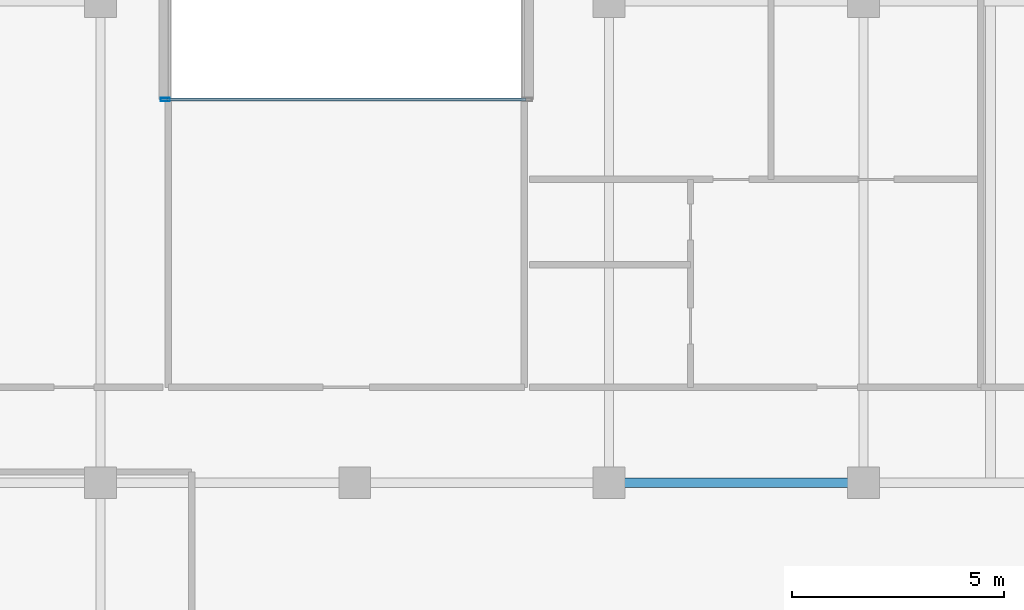
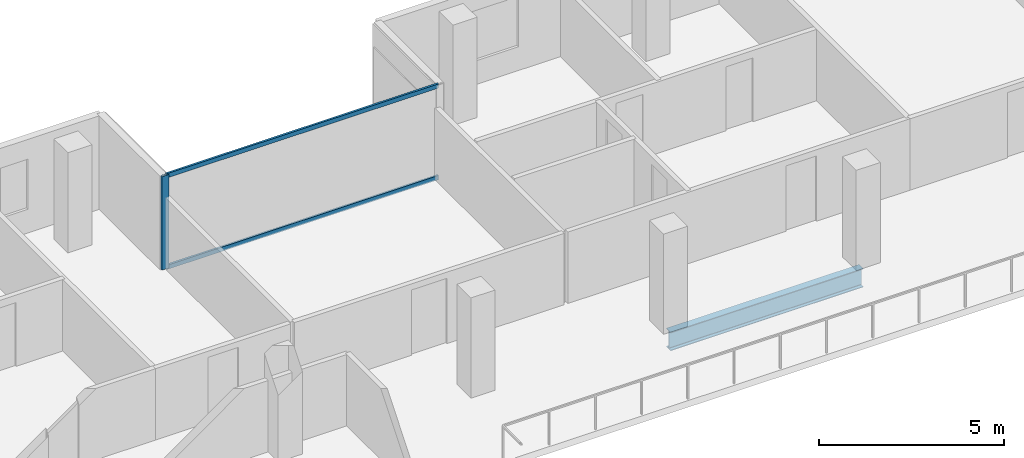
# One storey, part 10 of 28: 3 members, 1 beam, 1 element without a shape of its own.
"""IFC4 building model written with IfcOpenShell, lengths in metres."""

import ifcopenshell
import ifcopenshell.guid

model = None  # the IFC model being written
_history = None  # IfcOwnerHistory: only IFC2X3 demands one
_inside = {}  # id of a spatial element -> (the spatial element, [elements in it])
_under = {}  # id of a project, library or spatial element -> (it, [spatial elements below it])
_declared = {}  # id of a project -> (the project, [libraries it declares])
_typed = {}  # id of a type object -> (the type object, [elements of that type])
_made_of = {}  # id of a material, layer set ... -> (it, [elements and type objects made of it])


def new_model(schema):
    """Start an empty IFC model of exactly this schema.

    Asked for "IFC4X3", IfcOpenShell would pick the latest addendum, in which some entities
    have other attributes; the version numbers below select the first issue.
    IFC2X3 requires an IfcOwnerHistory on every rooted entity: one is made here for all.
    """
    global model, _history
    if schema == "IFC4X3":
        model = ifcopenshell.file(schema_version=(4, 3, 0, 0))
    else:
        model = ifcopenshell.file(schema=schema)
    _inside.clear()
    _under.clear()
    _declared.clear()
    _typed.clear()
    _made_of.clear()
    _history = None
    if model.schema == "IFC2X3":
        org = make("IfcOrganization", Name="unknown")
        user = make(
            "IfcPersonAndOrganization",
            ThePerson=make("IfcPerson", FamilyName="unknown"),
            TheOrganization=org,
        )
        app = make(
            "IfcApplication",
            ApplicationDeveloper=org,
            Version="unknown",
            ApplicationFullName="unknown",
            ApplicationIdentifier="unknown",
        )
        _history = make(
            "IfcOwnerHistory",
            OwningUser=user,
            OwningApplication=app,
            ChangeAction="ADDED",
            CreationDate=0,
        )
    return model


def make(cls, **values):
    """One entity of the class cls with the attributes given. An attribute that is None is left unset."""
    return model.create_entity(
        cls, **{name: value for name, value in values.items() if value is not None}
    )


def rooted(cls, **values):
    """An entity with a GlobalId (a new one), such as an element, a storey or a relation."""
    return make(cls, GlobalId=ifcopenshell.guid.new(), OwnerHistory=_history, **values)


def si_unit(unit_type, name, prefix=None):
    """IfcSIUnit, for example si_unit("LENGTHUNIT", "METRE", prefix="MILLI")."""
    return make("IfcSIUnit", UnitType=unit_type, Prefix=prefix, Name=name)


def assignment(units):
    """IfcUnitAssignment: the units of a project."""
    return None if units is None else make("IfcUnitAssignment", Units=units)


def point(xyz):
    """IfcCartesianPoint."""
    return None if xyz is None else make("IfcCartesianPoint", Coordinates=xyz)


def direction(xyz):
    """IfcDirection."""
    return None if xyz is None else make("IfcDirection", DirectionRatios=xyz)


def frame(location, z_axis=None, x_axis=None):
    """IfcAxis2Placement3D, a coordinate frame: its origin and axes. An axis left out is left unset."""
    return make(
        "IfcAxis2Placement3D",
        Location=point(location),
        Axis=direction(z_axis),
        RefDirection=direction(x_axis),
    )


def frame_2d(location, x_axis=None):
    """IfcAxis2Placement2D, a coordinate frame in the plane: its origin and x axis."""
    return make(
        "IfcAxis2Placement2D", Location=point(location), RefDirection=direction(x_axis)
    )


def origin():
    """The frame at (0, 0, 0) with its axes left unset."""
    return frame((0.0, 0.0, 0.0))


def origin_2d():
    """The frame at (0, 0) in the plane with its x axis left unset."""
    return frame_2d((0.0, 0.0))


def place(relative_to, where):
    """IfcLocalPlacement: puts the frame where relative to a parent placement (None: the world)."""
    return make(
        "IfcLocalPlacement", PlacementRelTo=relative_to, RelativePlacement=where
    )


def context(
    kind, dimensions, precision=None, world=None, true_north=None, identifier=None
):
    """IfcGeometricRepresentationContext, for example the 3D "Model" context."""
    return make(
        "IfcGeometricRepresentationContext",
        ContextIdentifier=identifier,
        ContextType=kind,
        CoordinateSpaceDimension=dimensions,
        Precision=precision,
        WorldCoordinateSystem=world,
        TrueNorth=true_north,
    )


def subcontext(parent, identifier, kind, view, scale=None):
    """IfcGeometricRepresentationSubContext, for example "Body" below "Model"."""
    return make(
        "IfcGeometricRepresentationSubContext",
        ContextIdentifier=identifier,
        ContextType=kind,
        ParentContext=parent,
        TargetScale=scale,
        TargetView=view,
    )


def project(units=None, contexts=None):
    """IfcProject with its units and contexts."""
    return rooted(
        "IfcProject",
        Name="project",
        RepresentationContexts=contexts,
        UnitsInContext=assignment(units),
    )


def spatial(cls, under=None, at=None, **own):
    """A site, building, storey or space (cls), placed at a placement, below another one or the project."""
    s = rooted(cls, ObjectPlacement=at, **own)
    if under is not None:
        _under.setdefault(under.id(), (under, []))[1].append(s)
    return s


def profile(cls, at=None, kind="AREA", **sizes):
    """A parametric profile (cls). Its sizes go by their IFC names, for example OverallWidth=200.0."""
    return make(cls, ProfileType=kind, Position=at, **sizes)


def hollow_rectangle(**sizes):
    """IfcRectangleHollowProfileDef."""
    return profile("IfcRectangleHollowProfileDef", **sizes)


def i_section(**sizes):
    """IfcIShapeProfileDef."""
    return profile("IfcIShapeProfileDef", **sizes)


def extrude(swept, where, along, depth):
    """IfcExtrudedAreaSolid: the profile swept, set in the frame where, extruded along a direction by depth."""
    return make(
        "IfcExtrudedAreaSolid",
        SweptArea=swept,
        Position=where,
        ExtrudedDirection=direction(along),
        Depth=depth,
    )


def shape(context_of_items, identifier, shape_type, items):
    """IfcShapeRepresentation: the items that make up one representation, for example the "Body"."""
    return make(
        "IfcShapeRepresentation",
        ContextOfItems=context_of_items,
        RepresentationIdentifier=identifier,
        RepresentationType=shape_type,
        Items=items,
    )


def material(Name=None, Category=None):
    """IfcMaterial."""
    return make("IfcMaterial", Name=Name, Category=Category)


def layer(
    of_material, thickness, ventilated=None, Name=None, Category=None, Priority=None
):
    """IfcMaterialLayer: one layer of a wall or slab, of a material (None: an air gap)."""
    return make(
        "IfcMaterialLayer",
        Material=of_material,
        LayerThickness=thickness,
        IsVentilated=ventilated,
        Name=Name,
        Category=Category,
        Priority=Priority,
    )


def layer_set(layers, Name=None):
    """IfcMaterialLayerSet."""
    return make("IfcMaterialLayerSet", MaterialLayers=layers, LayerSetName=Name)


def material_profile(
    of_material, cross_section, Name=None, Category=None, Priority=None
):
    """IfcMaterialProfile: a cross section and its material."""
    return make(
        "IfcMaterialProfile",
        Name=Name,
        Material=of_material,
        Profile=cross_section,
        Priority=Priority,
        Category=Category,
    )


def profile_set(profiles, Name=None, composite=None):
    """IfcMaterialProfileSet."""
    return make(
        "IfcMaterialProfileSet",
        Name=Name,
        MaterialProfiles=profiles,
        CompositeProfile=composite,
    )


def made_of(thing, what):
    """Note that an element or type object is made of a material, layer set ...; save() writes the relation."""
    if what is not None:
        _made_of.setdefault(what.id(), (what, []))[1].append(thing)
    return thing


def type_object(cls, material=None, **own):
    """A type object (cls), such as IfcWallType, which elements share."""
    return made_of(rooted(cls, **own), material)


def element(
    cls,
    number,
    at=None,
    inside=None,
    cuts=None,
    type_object=None,
    material=None,
    context=None,
    identifier="Body",
    shape_type=None,
    held_by="IfcProductDefinitionShape",
    body=None,
    shapes=None,
    **own,
):
    """One element of the class cls, such as IfcWall. Its Tag is "e" and its number.

    at: its placement. inside: the storey or other place that contains it. cuts: it is an
    opening in that element (IfcRelVoidsElement). A single representation is given by context,
    identifier, shape_type and body (its items); several are given by shapes. held_by: the class
    of the entity that holds the representations. save() writes the other relations.
    """
    e = rooted(cls, Tag="e%d" % number, ObjectPlacement=at, **own)
    if body is not None:
        shapes = [shape(context, identifier, shape_type, body)]
    if shapes is not None:
        e.Representation = make(held_by, Representations=shapes)
    if inside is not None:
        _inside.setdefault(inside.id(), (inside, []))[1].append(e)
    if cuts is not None:
        rooted(
            "IfcRelVoidsElement", RelatingBuildingElement=cuts, RelatedOpeningElement=e
        )
    if type_object is not None:
        _typed.setdefault(type_object.id(), (type_object, []))[1].append(e)
    return made_of(e, material)


def aggregate(whole, parts):
    """IfcRelAggregates: a whole, such as a stair, and the parts it consists of."""
    return rooted("IfcRelAggregates", RelatingObject=whole, RelatedObjects=parts)


def save(model, path):
    """Write the relations noted so far, then the file.

    IfcRelAggregates (storeys below a building ...), IfcRelContainedInSpatialStructure (elements
    in a storey), IfcRelDefinesByType, IfcRelAssociatesMaterial and IfcRelDeclares: one each for
    every whole, place, type object, material and project.
    """
    for whole, parts in _under.values():
        aggregate(whole, parts)
    for where, things in _inside.values():
        rooted(
            "IfcRelContainedInSpatialStructure",
            RelatedElements=things,
            RelatingStructure=where,
        )
    for kind, things in _typed.values():
        rooted("IfcRelDefinesByType", RelatedObjects=things, RelatingType=kind)
    for what, things in _made_of.values():
        rooted("IfcRelAssociatesMaterial", RelatedObjects=things, RelatingMaterial=what)
    for by, libraries in _declared.values():
        rooted("IfcRelDeclares", RelatingContext=by, RelatedDefinitions=libraries)
    model.write(path)


model = new_model("IFC4")

# Units and contexts
model_context = context("Model", 3, precision=1e-05, world=origin(), true_north=direction((0.0, 1.0)))
body_context = subcontext(model_context, "Body", "Model", "MODEL_VIEW")
ifc_project = project(units=[si_unit("LENGTHUNIT", "METRE"), si_unit("AREAUNIT", "SQUARE_METRE"), si_unit("VOLUMEUNIT", "CUBIC_METRE"), si_unit("PLANEANGLEUNIT", "RADIAN"), si_unit("MASSUNIT", "GRAM", prefix="KILO")], contexts=[model_context])

# Site, building, storey
site_placement = place(None, origin())
site = spatial("IfcSite", under=ifc_project, at=site_placement, CompositionType="ELEMENT")
building_placement = place(site_placement, origin())
building = spatial("IfcBuilding", under=site, at=building_placement, Name="Tanjung Sevakor Pilgrim Tower", CompositionType="ELEMENT")
storey_placement = place(building_placement, frame((0.0, 0.0, 222.75)))
storey = spatial("IfcBuildingStorey", under=building, at=storey_placement, Name="L62", CompositionType="ELEMENT", Elevation=222.75)

# Beam
ifc_material_1 = material(Name="Steel S355J2", Category="steel")
ifc_material_profile_1 = material_profile(ifc_material_1, i_section(OverallWidth=0.22900390625, OverallDepth=0.6123046875, WebThickness=0.011962890625, FlangeThickness=0.01953125, FilletRadius=0.0126953125, at=origin_2d()))
ifc_profile_set_1 = profile_set([ifc_material_profile_1], Name="Steel S355J2")
beam_type = type_object("IfcBeamType", Name="BM-B-G4-UB_610x229x125", PredefinedType="BEAM", material=ifc_profile_set_1)
beam_placement = place(storey_placement, frame((54.0, 42.60009765625, -0.526123046875), z_axis=(1.0, 0.0, 0.0), x_axis=(0.0, 1.0, 0.0)))
element("IfcBeam", 1, at=beam_placement, inside=storey, type_object=beam_type, Name="L62 Primary Floor Girder MAIN Y426-05", PredefinedType="BEAM", context=body_context, shape_type="SweptSolid", body=[
    extrude(i_section(OverallWidth=0.22900390625, OverallDepth=0.6123046875, WebThickness=0.011962890625, FlangeThickness=0.01953125, FilletRadius=0.0126953125, at=origin_2d()), origin(), (0.0, 0.0, 1.0), 6.0),
])

# Curtain wall, members
ifc_material_2 = material(Name="Aluminium 6063-T6 and Low-E Glass", Category="aluminium")
ifc_layer = layer(ifc_material_2, 0.179931640625)
ifc_layer_set = layer_set([ifc_layer], Name="CW-SYS-CLEFT")
curtain_wall_type = type_object("IfcCurtainWallType", Name="CW-SYS-CLEFT", PredefinedType="NOTDEFINED", material=ifc_layer_set)
curtain_wall_placement = place(storey_placement, origin())
curtain_wall = element("IfcCurtainWall", 2, at=curtain_wall_placement, inside=storey, type_object=curtain_wall_type, Name="L62 Curtain Wall CW-CLF-L62-10", PredefinedType="NOTDEFINED")
ifc_material_3 = material(Name="Aluminium 6063-T6", Category="aluminium")
ifc_material_profile_2 = material_profile(ifc_material_3, hollow_rectangle(XDim=0.074951171875, YDim=0.219970703125, WallThickness=0.0048828125, at=origin_2d()))
ifc_profile_set_2 = profile_set([ifc_material_profile_2], Name="Aluminium 6063-T6")
member_type_1 = type_object("IfcMemberType", Name="TYPE-CWM-2", PredefinedType="MULLION", material=ifc_profile_set_2)
member_1_placement = place(storey_placement, frame((43.527587890625, 51.639892578125, 0.0), z_axis=(0.0, 0.0, 1.0), x_axis=(0.0, -1.0, 0.0)))
member_1 = element("IfcMember", 3, at=member_1_placement, type_object=member_type_1, Name="CW-CLF mullion 2", PredefinedType="MULLION", context=body_context, shape_type="SweptSolid", body=[
    extrude(hollow_rectangle(XDim=0.074951171875, YDim=0.219970703125, WallThickness=0.0048828125, at=origin_2d()), origin(), (0.0, 0.0, 1.0), 3.080078125),
])
ifc_material_4 = material(Name="Aluminium 6063-T6", Category="aluminium")
ifc_material_profile_3 = material_profile(ifc_material_4, hollow_rectangle(XDim=0.06494140625, YDim=0.139892578125, WallThickness=0.00390625, at=origin_2d()))
ifc_profile_set_3 = profile_set([ifc_material_profile_3], Name="Aluminium 6063-T6")
member_type_2 = type_object("IfcMemberType", Name="TYPE-CWT-1", PredefinedType="USERDEFINED", material=ifc_profile_set_3)
member_2_placement = place(storey_placement, frame((52.034912109375, 51.639892578125, 0.032470703125), z_axis=(-1.0, 0.0, 0.0), x_axis=(0.0, -1.0, 0.0)))
member_2 = element("IfcMember", 4, at=member_2_placement, type_object=member_type_2, Name="CW-CLF transom 1.1", ObjectType="TRANSOM", PredefinedType="USERDEFINED", context=body_context, shape_type="SweptSolid", body=[
    extrude(hollow_rectangle(XDim=0.06494140625, YDim=0.139892578125, WallThickness=0.00390625, at=origin_2d()), origin(), (0.0, 0.0, 1.0), 8.469970703125),
])
member_3_placement = place(storey_placement, frame((52.034912109375, 51.639892578125, 3.047607421875), z_axis=(-1.0, 0.0, 0.0), x_axis=(0.0, -1.0, 0.0)))
member_3 = element("IfcMember", 5, at=member_3_placement, type_object=member_type_2, Name="CW-CLF transom 1.2", ObjectType="TRANSOM", PredefinedType="USERDEFINED", context=body_context, shape_type="SweptSolid", body=[
    extrude(hollow_rectangle(XDim=0.06494140625, YDim=0.139892578125, WallThickness=0.00390625, at=origin_2d()), origin(), (0.0, 0.0, 1.0), 8.469970703125),
])
aggregate(curtain_wall, [member_1, member_2, member_3])

save(model, "model.ifc")
